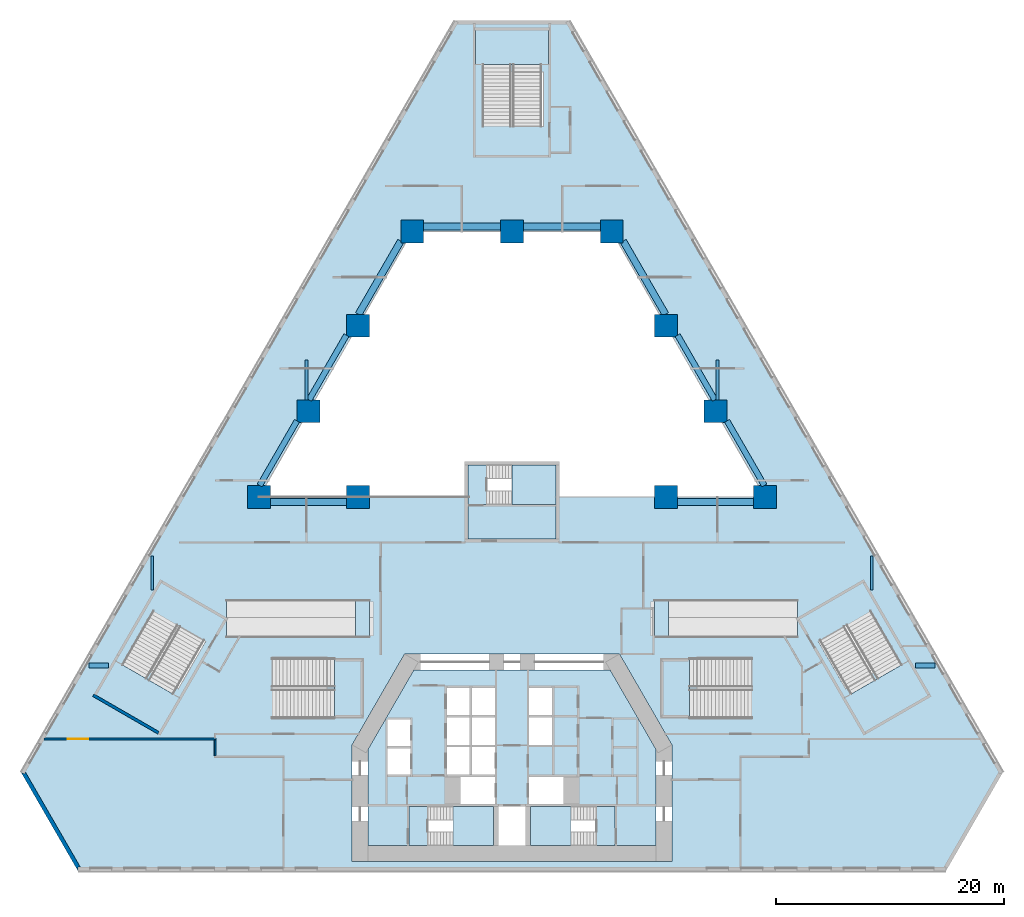
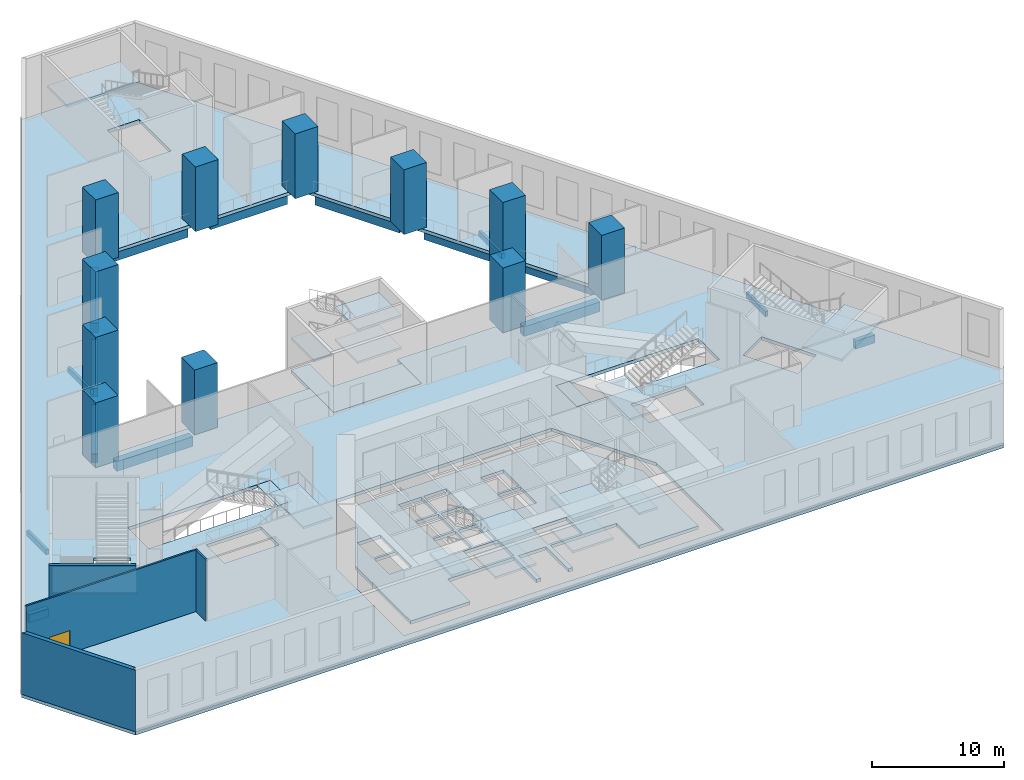
# One storey, part 1 of 16: 17 slabs, 16 beams, 11 columns, 4 walls, 2 plates, 1 door, 1 opening, 8 elements without a shape of their own.
"""IFC4 building model written with IfcOpenShell, lengths in metres."""

from ifc_helpers import new_model, si_unit, direction, frame, frame_2d, origin, origin_2d, place, context, subcontext, project, spatial, polyline, rectangle, outline, extrude, material, layer, layer_set, material_profile, profile_set, type_object, element, fill, aggregate, save


model = new_model("IFC4")

# Units and contexts
model_context = context("Model", 3, precision=1e-05, world=origin(), true_north=direction((0.0, 1.0)))
body_context = subcontext(model_context, "Body", "Model", "MODEL_VIEW")
ifc_project = project(units=[si_unit("LENGTHUNIT", "METRE"), si_unit("AREAUNIT", "SQUARE_METRE"), si_unit("VOLUMEUNIT", "CUBIC_METRE"), si_unit("PLANEANGLEUNIT", "RADIAN"), si_unit("MASSUNIT", "GRAM", prefix="KILO")], contexts=[model_context])

# Site, building, storey
site_placement = place(None, origin())
site = spatial("IfcSite", under=ifc_project, at=site_placement, CompositionType="ELEMENT")
building_placement = place(site_placement, origin())
building = spatial("IfcBuilding", under=site, at=building_placement, Name="Fogline Exchange Tower", CompositionType="ELEMENT")
storey_placement = place(building_placement, frame((0.0, 0.0, 14.0)))
storey = spatial("IfcBuildingStorey", under=building, at=storey_placement, Name="L02", CompositionType="ELEMENT", Elevation=14.0)

# Columns
ifc_material_1 = material(Name="Concrete C80", Category="concrete")
ifc_material_profile_1 = material_profile(ifc_material_1, rectangle(XDim=2.0, YDim=2.0, at=origin_2d()), Name="RC 2000x2000")
ifc_profile_set_1 = profile_set([ifc_material_profile_1], Name="Concrete C80")
column_type = type_object("IfcColumnType", Name="MC02", PredefinedType="COLUMN", material=ifc_profile_set_1)
for number, where, z_axis, x_axis, name in (
    (1, (-8.739990234375, 56.0, 0.0), (0.0, 0.0, 1.0), (1.0, 0.0, 0.0), "M01"),
    (2, (8.739990234375, 56.0, 0.0), (0.0, 0.0, 1.0), (1.0, 0.0, 0.0), "M02"),
    (3, (22.157958984375, 32.760009765625, 0.0), (0.0, 0.0, 1.0), (1.0, 0.0, 0.0), "M03"),
    (4, (-22.157958984375, 32.760009765625, 0.0), (0.0, 0.0, 1.0), (1.0, 0.0, 0.0), "M04"),
    (5, (-13.5, 47.756103515625, 0.0), (0.0, 0.0, 1.0), (1.0, 0.0, 0.0), "M05"),
    (6, (-13.5, 32.760009765625, 0.0), (0.0, 0.0, 1.0), (1.0, 0.0, 0.0), "M06"),
    (7, (0.0, 56.0, 0.0), (0.0, 0.0, 1.0), (1.0, 0.0, 0.0), "M07"),
    (8, (13.5, 47.756103515625, 0.0), (0.0, 0.0, 1.0), (1.0, 0.0, 0.0), "M08"),
    (9, (13.5, 32.760009765625, 0.0), (0.0, 0.0, 1.0), (1.0, 0.0, 0.0), "M09"),
    (10, (17.8291015625, 40.258056640625, 0.0), (0.0, 0.0, 1.0), (1.0, 0.0, 0.0), "M10"),
    (11, (-17.8291015625, 40.258056640625, 0.0), (0.0, 0.0, 1.0), (1.0, 0.0, 0.0), "M11"),
):
    element("IfcColumn", number, at=place(storey_placement, frame(where, z_axis=z_axis, x_axis=x_axis)), inside=storey, type_object=column_type, Name=name, PredefinedType="COLUMN", context=body_context, shape_type="SweptSolid", body=[
        extrude(rectangle(XDim=2.0, YDim=2.0, at=origin_2d()), origin(), (0.0, 0.0, 1.0), 6.0),
    ])

# Beams
ifc_material_2 = material(Name="Concrete C40", Category="concrete")
ifc_material_profile_2 = material_profile(ifc_material_2, rectangle(XDim=0.39990234375, YDim=0.75, at=origin_2d()), Name="RC 400x750")
ifc_profile_set_2 = profile_set([ifc_material_profile_2], Name="Concrete C40")
beam_type_1 = type_object("IfcBeamType", Name="B05", PredefinedType="BEAM", material=ifc_profile_set_2)
for number, where, z_axis, x_axis, name in (
    (12, (-37.0302734375, 18.0, -0.675048828125), (1.0, 0.0, 0.0), (0.0, 1.0, 0.0), "GB003"),
    (13, (35.327392578125, 18.0, -0.675048828125), (1.0, 0.0, 0.0), (0.0, 1.0, 0.0), "GB004"),
):
    element("IfcBeam", number, at=place(storey_placement, frame(where, z_axis=z_axis, x_axis=x_axis)), inside=storey, type_object=beam_type_1, Name=name, PredefinedType="BEAM", context=body_context, shape_type="SweptSolid", body=[
        extrude(rectangle(XDim=0.39990234375, YDim=0.75, at=origin_2d()), origin(), (0.0, 0.0, 1.0), 1.702880859375),
    ])
ifc_material_profile_3 = material_profile(ifc_material_2, rectangle(XDim=0.25, YDim=0.5, at=origin_2d()), Name="RC 250x500")
ifc_profile_set_3 = profile_set([ifc_material_profile_3], Name="Concrete C40")
beam_type_2 = type_object("IfcBeamType", Name="B08", PredefinedType="BEAM", material=ifc_profile_set_3)
beam_1_placement = place(storey_placement, frame((-31.5, 24.619384765625, -0.550048828125), z_axis=(0.0, 1.0, 0.0), x_axis=(-1.0, 0.0, 0.0)))
element("IfcBeam", 14, at=beam_1_placement, inside=storey, type_object=beam_type_2, Name="SB006", PredefinedType="BEAM", context=body_context, shape_type="SweptSolid", body=[
    extrude(rectangle(XDim=0.25, YDim=0.5, at=origin_2d()), origin(), (0.0, 0.0, 1.0), 2.95947265625),
])
for number, where, z_axis, x_axis, name in (
    (15, (-18.0, 41.258056640625, -0.550048828125), (0.0, 1.0, 0.0), (-1.0, 0.0, 0.0), "SB014"),
    (16, (18.0, 41.258056640625, -0.550048828125), (0.0, 1.0, 0.0), (-1.0, 0.0, 0.0), "SB029"),
):
    element("IfcBeam", number, at=place(storey_placement, frame(where, z_axis=z_axis, x_axis=x_axis)), inside=storey, type_object=beam_type_2, Name=name, PredefinedType="BEAM", context=body_context, shape_type="SweptSolid", body=[
        extrude(rectangle(XDim=0.25, YDim=0.5, at=origin_2d()), origin(), (0.0, 0.0, 1.0), 3.491943359375),
    ])
beam_2_placement = place(storey_placement, frame((31.5, 24.619384765625, -0.550048828125), z_axis=(0.0, 1.0, 0.0), x_axis=(-1.0, 0.0, 0.0)))
element("IfcBeam", 17, at=beam_2_placement, inside=storey, type_object=beam_type_2, Name="SB037", PredefinedType="BEAM", context=body_context, shape_type="SweptSolid", body=[
    extrude(rectangle(XDim=0.25, YDim=0.5, at=origin_2d()), origin(), (0.0, 0.0, 1.0), 2.95947265625),
])
ifc_material_profile_4 = material_profile(ifc_material_2, rectangle(XDim=0.60009765625, YDim=0.89990234375, at=origin_2d()), Name="RC 600x900")
ifc_profile_set_4 = profile_set([ifc_material_profile_4], Name="Concrete C40")
beam_type_3 = type_object("IfcBeamType", Name="B09", PredefinedType="BEAM", material=ifc_profile_set_4)
for number, where, z_axis, x_axis, name in (
    (18, (-7.739990234375, 56.449951171875, -0.75), (1.0, 0.0, 0.0), (0.0, 1.0, 0.0), "RB001"),
    (19, (1.0, 56.449951171875, -0.75), (1.0, 0.0, 0.0), (0.0, 1.0, 0.0), "RB002"),
):
    element("IfcBeam", number, at=place(storey_placement, frame(where, z_axis=z_axis, x_axis=x_axis)), inside=storey, type_object=beam_type_3, Name=name, PredefinedType="BEAM", context=body_context, shape_type="SweptSolid", body=[
        extrude(rectangle(XDim=0.60009765625, YDim=0.89990234375, at=origin_2d()), origin(), (0.0, 0.0, 1.0), 6.739990234375),
    ])
beam_3_placement = place(storey_placement, frame((9.739990234375, 55.168212890625, -0.75), z_axis=(0.500011685716, -0.866018656928, 0.0), x_axis=(0.866018656928, 0.500011685716, 0.0)))
element("IfcBeam", 20, at=beam_3_placement, inside=storey, type_object=beam_type_3, Name="RB003", PredefinedType="BEAM", context=body_context, shape_type="SweptSolid", body=[
    extrude(rectangle(XDim=0.60009765625, YDim=0.89990234375, at=origin_2d()), origin(), (0.0, 0.0, 1.0), 7.404052734375),
])
for number, where, z_axis, x_axis, name in (
    (21, (21.157958984375, 32.31005859375, -0.75), (-1.0, 0.0, 0.0), (0.0, -1.0, 0.0), "RB006"),
    (22, (-14.5, 32.31005859375, -0.75), (-1.0, 0.0, 0.0), (0.0, -1.0, 0.0), "RB009"),
):
    element("IfcBeam", number, at=place(storey_placement, frame(where, z_axis=z_axis, x_axis=x_axis)), inside=storey, type_object=beam_type_3, Name=name, PredefinedType="BEAM", context=body_context, shape_type="SweptSolid", body=[
        extrude(rectangle(XDim=0.60009765625, YDim=0.89990234375, at=origin_2d()), origin(), (0.0, 0.0, 1.0), 6.657958984375),
    ])
beam_4_placement = place(storey_placement, frame((-13.442138671875, 48.756103515625, -0.75), z_axis=(0.500011685716, 0.866018656928, 0.0), x_axis=(-0.866018656928, 0.500011685716, 0.0)))
element("IfcBeam", 23, at=beam_4_placement, inside=storey, type_object=beam_type_3, Name="RB012", PredefinedType="BEAM", context=body_context, shape_type="SweptSolid", body=[
    extrude(rectangle(XDim=0.60009765625, YDim=0.89990234375, at=origin_2d()), origin(), (0.0, 0.0, 1.0), 7.404052734375),
])
ifc_material_profile_5 = material_profile(ifc_material_2, rectangle(XDim=0.5, YDim=0.800048828125, at=origin_2d()), Name="RC 500x800")
ifc_profile_set_5 = profile_set([ifc_material_profile_5], Name="Concrete C40")
beam_type_4 = type_object("IfcBeamType", Name="B10", PredefinedType="BEAM", material=ifc_profile_set_5)
beam_5_placement = place(storey_placement, frame((14.5, 46.923583984375, -0.699951171875), z_axis=(0.500000270186, -0.866025247793, 0.0), x_axis=(0.866025247793, 0.500000270186, 0.0)))
element("IfcBeam", 24, at=beam_5_placement, inside=storey, type_object=beam_type_4, Name="RB004", PredefinedType="BEAM", context=body_context, shape_type="SweptSolid", body=[
    extrude(rectangle(XDim=0.5, YDim=0.800048828125, at=origin_2d()), origin(), (0.0, 0.0, 1.0), 6.5419921875),
])
for number, where, z_axis, x_axis, name in (
    (25, (18.8291015625, 39.42578125, -0.699951171875), (0.499984111004, -0.866034577106, 0.0), (0.866034577106, 0.499984111004, 0.0), "RB005"),
    (26, (-22.10009765625, 33.760009765625, -0.699951171875), (0.499984111004, 0.866034577106, 0.0), (-0.866034577106, 0.499984111004, 0.0), "RB010"),
):
    element("IfcBeam", number, at=place(storey_placement, frame(where, z_axis=z_axis, x_axis=x_axis)), inside=storey, type_object=beam_type_4, Name=name, PredefinedType="BEAM", context=body_context, shape_type="SweptSolid", body=[
        extrude(rectangle(XDim=0.5, YDim=0.800048828125, at=origin_2d()), origin(), (0.0, 0.0, 1.0), 6.542236328125),
    ])
beam_6_placement = place(storey_placement, frame((-17.77099609375, 41.258056640625, -0.699951171875), z_axis=(0.500000270186, 0.866025247793, 0.0), x_axis=(-0.866025247793, 0.500000270186, 0.0)))
element("IfcBeam", 27, at=beam_6_placement, inside=storey, type_object=beam_type_4, Name="RB011", PredefinedType="BEAM", context=body_context, shape_type="SweptSolid", body=[
    extrude(rectangle(XDim=0.5, YDim=0.800048828125, at=origin_2d()), origin(), (0.0, 0.0, 1.0), 6.5419921875),
])

# Plates
ifc_material_3 = material(Name="Aluminium", Category="aluminium")
ifc_layer_1 = layer(ifc_material_3, 0.050048828125)
ifc_layer_set_1 = layer_set([ifc_layer_1], Name="EP1")
plate_type = type_object("IfcPlateType", Name="EP1", PredefinedType="SHEET", material=ifc_layer_set_1)
plate_1_placement = place(storey_placement, frame((0.0, 0.0, -0.050048828125)))
element("IfcPlate", 28, at=plate_1_placement, inside=storey, type_object=plate_type, Name="Escalator landing plate", PredefinedType="SHEET", context=body_context, shape_type="SweptSolid", body=[
    extrude(outline(polyline([(-13.699951171875, 20.5), (-12.5, 20.5), (-12.5, 23.699951171875), (-13.699951171875, 23.699951171875), (-13.699951171875, 20.5)])), origin(), (0.0, 0.0, 1.0), 0.050048828125),
])
plate_2_placement = place(storey_placement, frame((0.0, 0.0, -0.050048828125)))
element("IfcPlate", 29, at=plate_2_placement, inside=storey, type_object=plate_type, Name="Escalator landing plate", PredefinedType="SHEET", context=body_context, shape_type="SweptSolid", body=[
    extrude(outline(polyline([(12.5, 20.5), (13.699951171875, 20.5), (13.699951171875, 23.699951171875), (12.5, 23.699951171875), (12.5, 20.5)])), origin(), (0.0, 0.0, 1.0), 0.050048828125),
])

# Stair, slab
stair_type_1 = type_object("IfcStairType", Name="PSF0-36-1667", PredefinedType="HALF_TURN_STAIR", material=ifc_material_2)
stair_1_placement = place(storey_placement, origin())
stair_1 = element("IfcStair", 30, at=stair_1_placement, inside=storey, type_object=stair_type_1, Name="Stair ST4", PredefinedType="HALF_TURN_STAIR")
ifc_layer_2 = layer(ifc_material_2, 0.199951171875)
ifc_layer_set_2 = layer_set([ifc_layer_2], Name="PSL1")
slab_type_1 = type_object("IfcSlabType", Name="PSL1", PredefinedType="LANDING", material=ifc_layer_set_2)
slab_1_placement = place(storey_placement, frame((0.0, 0.0, 2.800048828125)))
slab_1 = element("IfcSlab", 31, at=slab_1_placement, type_object=slab_type_1, Name="ST4 landing 1", PredefinedType="LANDING", context=body_context, shape_type="SweptSolid", body=[
    extrude(outline(polyline([(-36.444091796875, 15.36572265625), (-34.6982421875, 18.389892578125), (-29.129638671875, 15.175048828125), (-30.87548828125, 12.15087890625), (-36.444091796875, 15.36572265625)])), origin(), (0.0, 0.0, 1.0), 0.199951171875),
])
aggregate(stair_1, [slab_1])

stair_2_placement = place(storey_placement, origin())
stair_2 = element("IfcStair", 32, at=stair_2_placement, inside=storey, type_object=stair_type_1, Name="Stair ST5", PredefinedType="HALF_TURN_STAIR")
slab_2_placement = place(storey_placement, frame((0.0, 0.0, 2.800048828125)))
slab_2 = element("IfcSlab", 33, at=slab_2_placement, type_object=slab_type_1, Name="ST5 landing 1", PredefinedType="LANDING", context=body_context, shape_type="SweptSolid", body=[
    extrude(outline(polyline([(36.444091796875, 15.36572265625), (34.6982421875, 18.389892578125), (29.129638671875, 15.175048828125), (30.87548828125, 12.15087890625), (36.444091796875, 15.36572265625)])), origin(), (0.0, 0.0, 1.0), 0.199951171875),
])
aggregate(stair_2, [slab_2])

stair_3_placement = place(storey_placement, origin())
stair_3 = element("IfcStair", 34, at=stair_3_placement, inside=storey, type_object=stair_type_1, Name="Stair ST6", PredefinedType="HALF_TURN_STAIR")
slab_3_placement = place(storey_placement, frame((0.0, 0.0, 2.800048828125)))
slab_3 = element("IfcSlab", 35, at=slab_3_placement, type_object=slab_type_1, Name="ST6 landing 1", PredefinedType="LANDING", context=body_context, shape_type="SweptSolid", body=[
    extrude(outline(polyline([(-3.215087890625, 73.6650390625), (-3.215087890625, 70.623046875), (3.215087890625, 70.623046875), (3.215087890625, 73.6650390625), (-3.215087890625, 73.6650390625)])), origin(), (0.0, 0.0, 1.0), 0.199951171875),
])
aggregate(stair_3, [slab_3])

stair_4_placement = place(storey_placement, origin())
stair_4 = element("IfcStair", 36, at=stair_4_placement, inside=storey, type_object=stair_type_1, Name="Public stair PS1", PredefinedType="HALF_TURN_STAIR")
slab_4_placement = place(storey_placement, frame((0.0, 0.0, 2.800048828125)))
slab_4 = element("IfcSlab", 37, at=slab_4_placement, type_object=slab_type_1, Name="PS1 landing 1", PredefinedType="LANDING", context=body_context, shape_type="SweptSolid", body=[
    extrude(outline(polyline([(-15.56201171875, 13.39990234375), (-13.0, 13.39990234375), (-13.0, 18.60009765625), (-15.56201171875, 18.60009765625), (-15.56201171875, 13.39990234375)])), origin(), (0.0, 0.0, 1.0), 0.199951171875),
])
aggregate(stair_4, [slab_4])

stair_5_placement = place(storey_placement, origin())
stair_5 = element("IfcStair", 38, at=stair_5_placement, inside=storey, type_object=stair_type_1, Name="Public stair PS2", PredefinedType="HALF_TURN_STAIR")
slab_5_placement = place(storey_placement, frame((0.0, 0.0, 2.800048828125)))
slab_5 = element("IfcSlab", 39, at=slab_5_placement, type_object=slab_type_1, Name="PS2 landing 1", PredefinedType="LANDING", context=body_context, shape_type="SweptSolid", body=[
    extrude(outline(polyline([(15.56201171875, 13.39990234375), (13.0, 13.39990234375), (13.0, 18.60009765625), (15.56201171875, 18.60009765625), (15.56201171875, 13.39990234375)])), origin(), (0.0, 0.0, 1.0), 0.199951171875),
])
aggregate(stair_5, [slab_5])

# Slabs
ifc_layer_3 = layer(ifc_material_2, 0.300048828125)
ifc_layer_set_3 = layer_set([ifc_layer_3], Name="S04")
slab_type_2 = type_object("IfcSlabType", Name="S04", PredefinedType="FLOOR", material=ifc_layer_set_3)
slab_6_placement = place(storey_placement, frame((0.0, 0.0, -0.300048828125)))
element("IfcSlab", 40, at=slab_6_placement, inside=storey, type_object=slab_type_2, Name="SLAB L02", PredefinedType="FLOOR", context=body_context, shape_type="SweptSolid", body=[
    extrude(outline(polyline([(38.0, 0.0), (43.0, 8.660400390625), (5.0, 74.478271484375), (-5.0, 74.478271484375), (-43.0, 8.660400390625), (-38.0, 0.0), (38.0, 0.0)]), holes=[polyline([(-9.41162109375, 19.0), (9.41162109375, 19.0), (14.0, 11.052490234375), (14.0, 0.85009765625), (-14.0, 0.85009765625), (-14.0, 11.052490234375), (-9.41162109375, 19.0)]), polyline([(8.740234375, 56.0), (22.15771484375, 32.760009765625), (3.85009765625, 32.760009765625), (3.85009765625, 29.056884765625), (-3.85009765625, 29.056884765625), (-3.85009765625, 32.760009765625), (-22.15771484375, 32.760009765625), (-8.740234375, 56.0), (8.740234375, 56.0)]), polyline([(-16.199951171875, 18.75), (-16.199951171875, 15.949951171875), (-20.998046875, 15.949951171875), (-20.998046875, 18.75), (-16.199951171875, 18.75)]), polyline([(16.199951171875, 18.75), (20.998046875, 18.75), (20.998046875, 15.949951171875), (16.199951171875, 15.949951171875), (16.199951171875, 18.75)]), polyline([(-26.814453125, 20.115478515625), (-29.21337890625, 15.960205078125), (-31.63818359375, 17.360107421875), (-29.2392578125, 21.515380859375), (-26.814453125, 20.115478515625)]), polyline([(29.21337890625, 15.960205078125), (26.814453125, 20.115478515625), (29.2392578125, 21.515380859375), (31.63818359375, 17.360107421875), (29.21337890625, 15.960205078125)]), polyline([(-25.0, 20.5), (-25.0, 23.699951171875), (-12.5, 23.699951171875), (-12.5, 20.5), (-25.0, 20.5)]), polyline([(12.5, 20.5), (12.5, 23.699951171875), (25.0, 23.699951171875), (25.0, 20.5), (12.5, 20.5)]), polyline([(2.75, 69.985107421875), (2.75, 65.18701171875), (-0.050048828125, 65.18701171875), (-0.050048828125, 69.985107421875), (2.75, 69.985107421875)])]), origin(), (0.0, 0.0, 1.0), 0.300048828125),
])
slab_7_placement = place(storey_placement, frame((0.0, 0.0, -0.300048828125)))
element("IfcSlab", 41, at=slab_7_placement, inside=storey, type_object=slab_type_2, Name="Core floor slab", PredefinedType="FLOOR", context=body_context, shape_type="SweptSolid", body=[
    extrude(outline(polyline([(-12.60009765625, 2.25), (-12.60009765625, 10.677490234375), (-8.603271484375, 17.60009765625), (8.603271484375, 17.60009765625), (12.60009765625, 10.677490234375), (12.60009765625, 2.25), (7.389892578125, 2.25), (7.389892578125, 5.64990234375), (1.60009765625, 5.64990234375), (1.60009765625, 2.25), (1.199951171875, 2.25), (1.199951171875, 5.64990234375), (-1.199951171875, 5.64990234375), (-1.199951171875, 2.25), (-1.60009765625, 2.25), (-1.60009765625, 5.64990234375), (-7.389892578125, 5.64990234375), (-7.389892578125, 2.25), (-12.60009765625, 2.25)]), holes=[polyline([(-1.5, 8.25), (-4.5, 8.25), (-4.5, 5.85009765625), (-1.5, 5.85009765625), (-1.5, 8.25)]), polyline([(-8.89990234375, 10.75), (-10.89990234375, 10.75), (-10.89990234375, 8.449951171875), (-8.89990234375, 8.449951171875), (-8.89990234375, 10.75)]), polyline([(-3.699951171875, 10.85009765625), (-5.699951171875, 10.85009765625), (-5.699951171875, 8.449951171875), (-3.699951171875, 8.449951171875), (-3.699951171875, 10.85009765625)]), polyline([(-1.5, 10.85009765625), (-3.5, 10.85009765625), (-3.5, 8.449951171875), (-1.5, 8.449951171875), (-1.5, 10.85009765625)]), polyline([(-8.89990234375, 13.25), (-10.89990234375, 13.25), (-10.89990234375, 10.949951171875), (-8.89990234375, 10.949951171875), (-8.89990234375, 13.25)]), polyline([(-3.699951171875, 13.449951171875), (-5.699951171875, 13.449951171875), (-5.699951171875, 11.050048828125), (-3.699951171875, 11.050048828125), (-3.699951171875, 13.449951171875)]), polyline([(-3.699951171875, 16.050048828125), (-5.699951171875, 16.050048828125), (-5.699951171875, 13.64990234375), (-3.699951171875, 13.64990234375), (-3.699951171875, 16.050048828125)]), polyline([(4.5, 8.25), (1.5, 8.25), (1.5, 5.85009765625), (4.5, 5.85009765625), (4.5, 8.25)]), polyline([(-1.5, 13.449951171875), (-3.5, 13.449951171875), (-3.5, 11.050048828125), (-1.5, 11.050048828125), (-1.5, 13.449951171875)]), polyline([(3.5, 13.449951171875), (1.5, 13.449951171875), (1.5, 11.050048828125), (3.5, 11.050048828125), (3.5, 13.449951171875)]), polyline([(-1.5, 16.050048828125), (-3.5, 16.050048828125), (-3.5, 13.64990234375), (-1.5, 13.64990234375), (-1.5, 16.050048828125)]), polyline([(3.5, 16.050048828125), (1.5, 16.050048828125), (1.5, 13.64990234375), (3.5, 13.64990234375), (3.5, 16.050048828125)])]), origin(), (0.0, 0.0, 1.0), 0.300048828125),
])
slab_8_placement = place(storey_placement, frame((0.0, 0.0, -0.300048828125)))
element("IfcSlab", 42, at=slab_8_placement, inside=storey, type_object=slab_type_2, Name="Stair enclosure floor slab", PredefinedType="FLOOR", context=body_context, shape_type="SweptSolid", body=[
    extrude(outline(polyline([(3.85009765625, 29.056884765625), (-3.85009765625, 29.056884765625), (-3.85009765625, 35.556884765625), (-2.239990234375, 35.556884765625), (-2.239990234375, 32.10693359375), (3.85009765625, 32.10693359375), (3.85009765625, 29.056884765625)])), origin(), (0.0, 0.0, 1.0), 0.300048828125),
])

# Stair, slabs
stair_type_2 = type_object("IfcStairType", Name="STR36-1667W1200", PredefinedType="HALF_TURN_STAIR", material=ifc_material_2)
stair_6_placement = place(storey_placement, origin())
stair_6 = element("IfcStair", 43, at=stair_6_placement, inside=storey, type_object=stair_type_2, Name="Stair ST1", PredefinedType="HALF_TURN_STAIR")
ifc_layer_4 = layer(ifc_material_2, 0.199951171875)
ifc_layer_set_4 = layer_set([ifc_layer_4], Name="SL200")
slab_type_3 = type_object("IfcSlabType", Name="SL200", PredefinedType="LANDING", material=ifc_layer_set_4)
slab_9_placement = place(storey_placement, frame((0.0, 0.0, 1.300048828125)))
slab_9 = element("IfcSlab", 44, at=slab_9_placement, type_object=slab_type_3, Name="ST1 landing 1", PredefinedType="LANDING", context=body_context, shape_type="SweptSolid", body=[
    extrude(outline(polyline([(-5.159912109375, 2.25), (-1.60009765625, 2.25), (-1.60009765625, 5.64990234375), (-5.159912109375, 5.64990234375), (-5.159912109375, 2.25)])), origin(), (0.0, 0.0, 1.0), 0.199951171875),
])
slab_10_placement = place(storey_placement, frame((0.0, 0.0, 2.800048828125)))
slab_10 = element("IfcSlab", 45, at=slab_10_placement, type_object=slab_type_3, Name="ST1 landing 2", PredefinedType="LANDING", context=body_context, shape_type="SweptSolid", body=[
    extrude(outline(polyline([(-9.0, 2.25), (-7.39990234375, 2.25), (-7.39990234375, 5.64990234375), (-9.0, 5.64990234375), (-9.0, 2.25)])), origin(), (0.0, 0.0, 1.0), 0.199951171875),
])
slab_11_placement = place(storey_placement, frame((0.0, 0.0, 4.300048828125)))
slab_11 = element("IfcSlab", 46, at=slab_11_placement, type_object=slab_type_3, Name="ST1 landing 3", PredefinedType="LANDING", context=body_context, shape_type="SweptSolid", body=[
    extrude(outline(polyline([(-5.159912109375, 2.25), (-1.60009765625, 2.25), (-1.60009765625, 5.64990234375), (-5.159912109375, 5.64990234375), (-5.159912109375, 2.25)])), origin(), (0.0, 0.0, 1.0), 0.199951171875),
])
aggregate(stair_6, [slab_9, slab_10, slab_11])

stair_7_placement = place(storey_placement, origin())
stair_7 = element("IfcStair", 47, at=stair_7_placement, inside=storey, type_object=stair_type_2, Name="Stair ST2", PredefinedType="HALF_TURN_STAIR")
slab_12_placement = place(storey_placement, frame((0.0, 0.0, 1.300048828125)))
slab_12 = element("IfcSlab", 48, at=slab_12_placement, type_object=slab_type_3, Name="ST2 landing 1", PredefinedType="LANDING", context=body_context, shape_type="SweptSolid", body=[
    extrude(outline(polyline([(1.60009765625, 2.25), (5.159912109375, 2.25), (5.159912109375, 5.64990234375), (1.60009765625, 5.64990234375), (1.60009765625, 2.25)])), origin(), (0.0, 0.0, 1.0), 0.199951171875),
])
slab_13_placement = place(storey_placement, frame((0.0, 0.0, 2.800048828125)))
slab_13 = element("IfcSlab", 49, at=slab_13_placement, type_object=slab_type_3, Name="ST2 landing 2", PredefinedType="LANDING", context=body_context, shape_type="SweptSolid", body=[
    extrude(outline(polyline([(7.39990234375, 2.25), (9.0, 2.25), (9.0, 5.64990234375), (7.39990234375, 5.64990234375), (7.39990234375, 2.25)])), origin(), (0.0, 0.0, 1.0), 0.199951171875),
])
slab_14_placement = place(storey_placement, frame((0.0, 0.0, 4.300048828125)))
slab_14 = element("IfcSlab", 50, at=slab_14_placement, type_object=slab_type_3, Name="ST2 landing 3", PredefinedType="LANDING", context=body_context, shape_type="SweptSolid", body=[
    extrude(outline(polyline([(1.60009765625, 2.25), (5.159912109375, 2.25), (5.159912109375, 5.64990234375), (1.60009765625, 5.64990234375), (1.60009765625, 2.25)])), origin(), (0.0, 0.0, 1.0), 0.199951171875),
])
aggregate(stair_7, [slab_12, slab_13, slab_14])

stair_8_placement = place(storey_placement, origin())
stair_8 = element("IfcStair", 51, at=stair_8_placement, inside=storey, type_object=stair_type_2, Name="Stair ST3", PredefinedType="HALF_TURN_STAIR")
slab_15_placement = place(storey_placement, frame((0.0, 0.0, 1.300048828125)))
slab_15 = element("IfcSlab", 52, at=slab_15_placement, type_object=slab_type_3, Name="ST3 landing 1", PredefinedType="LANDING", context=body_context, shape_type="SweptSolid", body=[
    extrude(outline(polyline([(-0.010009765625, 32.10693359375), (3.85009765625, 32.10693359375), (3.85009765625, 35.556884765625), (-0.010009765625, 35.556884765625), (-0.010009765625, 32.10693359375)])), origin(), (0.0, 0.0, 1.0), 0.199951171875),
])
slab_16_placement = place(storey_placement, frame((0.0, 0.0, 2.800048828125)))
slab_16 = element("IfcSlab", 53, at=slab_16_placement, type_object=slab_type_3, Name="ST3 landing 2", PredefinedType="LANDING", context=body_context, shape_type="SweptSolid", body=[
    extrude(outline(polyline([(-3.85009765625, 32.10693359375), (-2.25, 32.10693359375), (-2.25, 35.556884765625), (-3.85009765625, 35.556884765625), (-3.85009765625, 32.10693359375)])), origin(), (0.0, 0.0, 1.0), 0.199951171875),
])
slab_17_placement = place(storey_placement, frame((0.0, 0.0, 4.300048828125)))
slab_17 = element("IfcSlab", 54, at=slab_17_placement, type_object=slab_type_3, Name="ST3 landing 3", PredefinedType="LANDING", context=body_context, shape_type="SweptSolid", body=[
    extrude(outline(polyline([(-0.010009765625, 32.10693359375), (3.85009765625, 32.10693359375), (3.85009765625, 35.556884765625), (-0.010009765625, 35.556884765625), (-0.010009765625, 32.10693359375)])), origin(), (0.0, 0.0, 1.0), 0.199951171875),
])
aggregate(stair_8, [slab_15, slab_16, slab_17])

# Walls
ifc_material_4 = material(Name="Brick masonry", Category="masonry")
ifc_layer_5 = layer(ifc_material_4, 0.340087890625)
ifc_layer_set_5 = layer_set([ifc_layer_5], Name="FW1")
wall_type_1 = type_object("IfcWallType", Name="FW1", PredefinedType="SOLIDWALL", material=ifc_layer_set_5)
wall_1_placement = place(storey_placement, origin())
element("IfcWall", 55, at=wall_1_placement, inside=storey, type_object=wall_type_1, Name="Brick wall L02 SW-c", PredefinedType="SOLIDWALL", context=body_context, shape_type="SweptSolid", body=[
    extrude(outline(polyline([(-43.000732421875, 8.661376953125), (-42.705810546875, 8.490966796875), (-42.607421875, 8.661376953125), (-37.802734375, 0.33935546875), (-37.99951171875, 0.33935546875), (-37.99951171875, -0.0009765625), (-38.0, -0.001220703125), (-43.0009765625, 8.660888671875), (-43.000732421875, 8.661376953125)])), origin(), (0.0, 0.0, 1.0), 5.699951171875),
])
ifc_material_5 = material(Name="Plasterboard on steel stud", Category="steel")
ifc_layer_6 = layer(ifc_material_5, 0.14990234375)
ifc_layer_set_6 = layer_set([ifc_layer_6], Name="PP1")
wall_type_2 = type_object("IfcWallType", Name="PP1", PredefinedType="PARTITIONING", material=ifc_layer_set_6)
wall_2_placement = place(storey_placement, frame((-26.0, 11.4951171875, 0.0), z_axis=(0.0, 0.0, 1.0), x_axis=(0.0, -1.0, 0.0)))
element("IfcWall", 56, at=wall_2_placement, inside=storey, type_object=wall_type_2, Name="PP1 partition", PredefinedType="PARTITIONING", context=body_context, shape_type="SweptSolid", body=[
    extrude(rectangle(XDim=1.420166015625, YDim=0.14990234375, at=frame_2d((0.7099609375, 0.0))), origin(), (0.0, 0.0, 1.0), 5.699951171875),
])

# Wall, opening, door
wall_3_placement = place(storey_placement, frame((-40.9677734375, 11.570068359375, 0.0), z_axis=(0.0, 0.0, 1.0), x_axis=(1.0, 0.0, 0.0)))
wall_3 = element("IfcWall", 57, at=wall_3_placement, inside=storey, type_object=wall_type_2, Name="PP1 partition", PredefinedType="PARTITIONING", context=body_context, shape_type="SweptSolid", body=[
    extrude(rectangle(XDim=15.042724609375, YDim=0.14990234375, at=frame_2d((7.521484375, 0.0))), origin(), (0.0, 0.0, 1.0), 5.699951171875),
])
opening_placement = place(wall_3_placement, frame((2.06787109375, 0.0, 0.0)))
opening = element("IfcOpeningElement", 58, at=opening_placement, cuts=wall_3, Name="Opening P02-D012", PredefinedType="OPENING", context=body_context, shape_type="SweptSolid", body=[
    extrude(rectangle(XDim=1.800048828125, YDim=2.10009765625, at=frame_2d((0.89990234375, 1.050048828125))), frame((0.0, 0.0849609375, 0.0), z_axis=(0.0, -1.0, 0.0), x_axis=(1.0, 0.0, 0.0)), (0.0, 0.0, 1.0), 0.169921875),
])
ifc_material_6 = material(Name="Timber", Category="wood")
door_type = type_object("IfcDoorType", Name="PD3", OperationType="DOUBLE_DOOR_SINGLE_SWING", PredefinedType="DOOR", material=ifc_material_6)
door_placement = place(opening_placement, frame((1.800048828125, 0.0, 0.0), z_axis=(0.0, 0.0, 1.0), x_axis=(-1.0, 0.0, 0.0)))
door = element("IfcDoor", 59, at=door_placement, inside=storey, type_object=door_type, Name="P02-D012", OperationType="DOUBLE_DOOR_SINGLE_SWING", OverallHeight=2.10009765625, OverallWidth=1.800048828125, PredefinedType="DOOR", context=body_context, shape_type="SweptSolid", body=[
    extrude(rectangle(XDim=1.800048828125, YDim=2.10009765625, at=frame_2d((0.89990234375, 1.050048828125))), frame((0.0, 0.02490234375, 0.0), z_axis=(0.0, -1.0, 0.0), x_axis=(1.0, 0.0, 0.0)), (0.0, 0.0, 1.0), 0.050048828125),
])
fill(opening, door)

# Wall
ifc_layer_7 = layer(ifc_material_2, 0.25)
ifc_layer_set_7 = layer_set([ifc_layer_7], Name="PP3")
wall_type_3 = type_object("IfcWallType", Name="PP3", PredefinedType="SOLIDWALL", material=ifc_layer_set_7)
wall_4_placement = place(storey_placement, frame((-30.95263671875, 12.097412109375, 0.0), z_axis=(0.0, 0.0, 1.0), x_axis=(-0.866040211805, 0.499974350878, 0.0)))
element("IfcWall", 60, at=wall_4_placement, inside=storey, type_object=wall_type_3, Name="PP3 bearing wall", PredefinedType="SOLIDWALL", context=body_context, shape_type="SweptSolid", body=[
    extrude(rectangle(XDim=6.599853515625, YDim=0.25, at=frame_2d((3.2998046875, 0.0))), origin(), (0.0, 0.0, 1.0), 5.699951171875),
])

save(model, "model.ifc")
